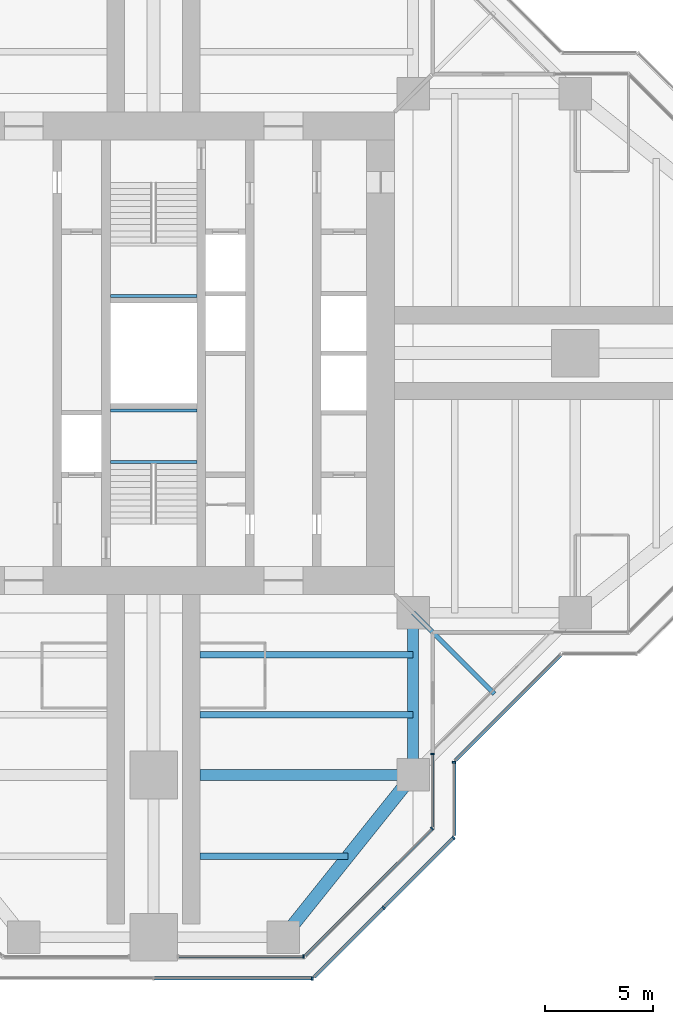
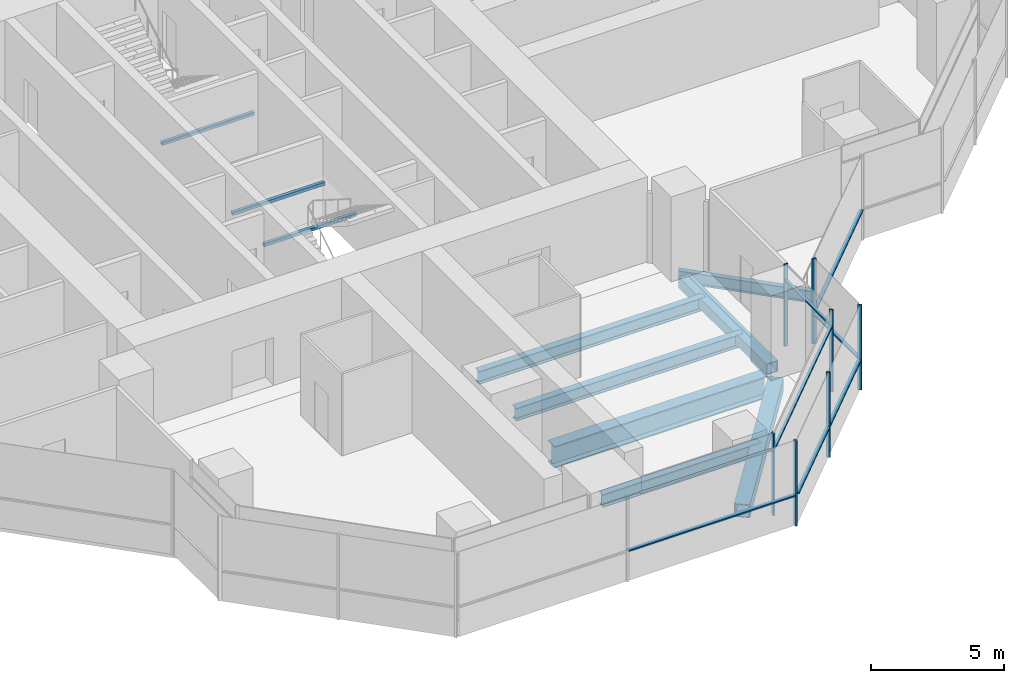
# One storey, part 4 of 17: 15 members, 10 beams, 7 elements without a shape of their own.
"""IFC4 building model written with IfcOpenShell, lengths in metres."""

from ifc_helpers import new_model, si_unit, direction, frame, origin, origin_2d, place, context, subcontext, project, spatial, rectangle, hollow_rectangle, i_section, extrude, material, material_profile, profile_set, type_object, element, aggregate, save


model = new_model("IFC4")

# Units and contexts
model_context = context("Model", 3, precision=1e-05, world=origin(), true_north=direction((0.0, 1.0)))
body_context = subcontext(model_context, "Body", "Model", "MODEL_VIEW")
ifc_project = project(units=[si_unit("LENGTHUNIT", "METRE"), si_unit("AREAUNIT", "SQUARE_METRE"), si_unit("VOLUMEUNIT", "CUBIC_METRE"), si_unit("PLANEANGLEUNIT", "RADIAN"), si_unit("MASSUNIT", "GRAM", prefix="KILO")], contexts=[model_context])

# Site, building, storey
site_placement = place(None, origin())
site = spatial("IfcSite", under=ifc_project, at=site_placement, CompositionType="ELEMENT")
building_placement = place(site_placement, origin())
building = spatial("IfcBuilding", under=site, at=building_placement, Name="Mizan Broadcast Tower", CompositionType="ELEMENT")
storey_placement = place(building_placement, frame((0.0, 0.0, 255.60009765625)))
storey = spatial("IfcBuildingStorey", under=building, at=storey_placement, Name="L60", CompositionType="ELEMENT", Elevation=255.60009765625)

# Beams
ifc_material_1 = material(Name="Steel S355", Category="steel")
ifc_material_profile_1 = material_profile(ifc_material_1, hollow_rectangle(XDim=0.5, YDim=0.5, WallThickness=0.030029296875, at=origin_2d()), Name="BOX 500x500x30")
ifc_profile_set_1 = profile_set([ifc_material_profile_1], Name="Steel S355")
beam_type_1 = type_object("IfcBeamType", Name="EDGE BEAM BOX 500x500x30", PredefinedType="SPANDREL", material=ifc_profile_set_1)
beam_1_placement = place(storey_placement, frame((12.0, -12.449951171875, -0.380126953125), z_axis=(0.0, -1.0, 0.0), x_axis=(1.0, 0.0, 0.0)))
element("IfcBeam", 1, at=beam_1_placement, inside=storey, type_object=beam_type_1, Name="Edge beam BOX 500x500x30 L60 south arm", PredefinedType="SPANDREL", context=body_context, shape_type="SweptSolid", body=[
    extrude(hollow_rectangle(XDim=0.5, YDim=0.5, WallThickness=0.030029296875, at=origin_2d()), origin(), (0.0, 0.0, 1.0), 6.60009765625),
])
ifc_material_2 = material(Name="Steel S355", Category="steel")
ifc_material_profile_2 = material_profile(ifc_material_2, hollow_rectangle(XDim=0.60009765625, YDim=0.60009765625, WallThickness=0.030029296875, at=origin_2d()), Name="BOX 600x600x30")
ifc_profile_set_2 = profile_set([ifc_material_profile_2], Name="Steel S355")
beam_type_2 = type_object("IfcBeamType", Name="EDGE BEAM BOX 600x600x30", PredefinedType="SPANDREL", material=ifc_profile_set_2)
beam_2_placement = place(storey_placement, frame((11.639892578125, -19.949951171875, -0.43017578125), z_axis=(-0.624673911726, -0.780885717636, 0.0), x_axis=(0.780885717636, -0.624673911726, 0.0)))
element("IfcBeam", 2, at=beam_2_placement, inside=storey, type_object=beam_type_2, Name="Edge beam BOX 600x600x30 L60 south arm", PredefinedType="SPANDREL", context=body_context, shape_type="SweptSolid", body=[
    extrude(hollow_rectangle(XDim=0.60009765625, YDim=0.60009765625, WallThickness=0.030029296875, at=origin_2d()), origin(), (0.0, 0.0, 1.0), 8.4521484375),
])
ifc_material_3 = material(Name="Steel S460", Category="steel")
ifc_material_profile_3 = material_profile(ifc_material_3, i_section(OverallWidth=0.5, OverallDepth=1.0, WebThickness=0.02490234375, FlangeThickness=0.050048828125, at=origin_2d()), Name="WPG 1000x500")
ifc_profile_set_3 = profile_set([ifc_material_profile_3], Name="Steel S460")
beam_type_3 = type_object("IfcBeamType", Name="GIRDER WPG 1000x500", PredefinedType="BEAM", material=ifc_profile_set_3)
beam_3_placement = place(storey_placement, frame((11.408935546875, -19.5, -0.630126953125), z_axis=(-1.0, 0.0, 0.0), x_axis=(0.0, -1.0, 0.0)))
element("IfcBeam", 3, at=beam_3_placement, inside=storey, type_object=beam_type_3, Name="Girder WPG 1000x500 L60 south arm", PredefinedType="BEAM", context=body_context, shape_type="SweptSolid", body=[
    extrude(i_section(OverallWidth=0.5, OverallDepth=1.0, WebThickness=0.02490234375, FlangeThickness=0.050048828125, at=origin_2d()), origin(), (0.0, 0.0, 1.0), 9.259033203125),
])

# Curtain wall, member
ifc_material_4 = material(Name="Aluminium framed glazing", Category="aluminium")
curtain_wall_type_1 = type_object("IfcCurtainWallType", Name="INNER SKIN HIGH ZONE", PredefinedType="USERDEFINED", material=ifc_material_4)
curtain_wall_1_placement = place(storey_placement, origin())
curtain_wall_1 = element("IfcCurtainWall", 4, at=curtain_wall_1_placement, inside=storey, type_object=curtain_wall_type_1, Name="Inner skin high zone L60 S end", ObjectType="INNER SKIN HIGH ZONE", PredefinedType="USERDEFINED")
ifc_material_5 = material(Name="Aluminium, pale anodised", Category="aluminium")
ifc_material_profile_4 = material_profile(ifc_material_5, rectangle(XDim=0.159912109375, YDim=0.06005859375, at=origin_2d()), Name="MULLION 160x60")
ifc_profile_set_4 = profile_set([ifc_material_profile_4], Name="Aluminium, pale anodised")
member_type_1 = type_object("IfcMemberType", Name="INNER SKIN MULLION 60x160", PredefinedType="MULLION", material=ifc_profile_set_4)
member_1_placement = place(storey_placement, frame((6.928466796875, -27.89990234375, 0.0), z_axis=(0.0, 0.0, 1.0), x_axis=(0.0, 1.0, 0.0)))
member_1 = element("IfcMember", 5, at=member_1_placement, type_object=member_type_1, Name="Inner skin high zone L60 S end mullion 2", PredefinedType="MULLION", context=body_context, shape_type="SweptSolid", body=[
    extrude(rectangle(XDim=0.159912109375, YDim=0.06005859375, at=origin_2d()), origin(), (0.0, 0.0, 1.0), 3.77001953125),
])

curtain_wall_2_placement = place(storey_placement, origin())
curtain_wall_2 = element("IfcCurtainWall", 6, at=curtain_wall_2_placement, inside=storey, type_object=curtain_wall_type_1, Name="Inner skin high zone L60 S chamfer", ObjectType="INNER SKIN HIGH ZONE", PredefinedType="USERDEFINED")
member_2_placement = place(storey_placement, frame((12.87890625, -21.979736328125, 0.0), z_axis=(0.0, 0.0, 1.0), x_axis=(-0.707106781187, 0.707106781187, 0.0)))
member_2 = element("IfcMember", 7, at=member_2_placement, type_object=member_type_1, Name="Inner skin high zone L60 S chamfer mullion 2", PredefinedType="MULLION", context=body_context, shape_type="SweptSolid", body=[
    extrude(rectangle(XDim=0.159912109375, YDim=0.06005859375, at=origin_2d()), origin(), (0.0, 0.0, 1.0), 3.77001953125),
])

curtain_wall_3_placement = place(storey_placement, origin())
curtain_wall_3 = element("IfcCurtainWall", 8, at=curtain_wall_3_placement, inside=storey, type_object=curtain_wall_type_1, Name="Inner skin high zone L60 S side", ObjectType="INNER SKIN HIGH ZONE", PredefinedType="USERDEFINED")
member_3_placement = place(storey_placement, frame((12.89990234375, -18.530029296875, 0.0), z_axis=(0.0, 0.0, 1.0), x_axis=(-1.0, 0.0, 0.0)))
member_3 = element("IfcMember", 9, at=member_3_placement, type_object=member_type_1, Name="Inner skin high zone L60 S side mullion 2", PredefinedType="MULLION", context=body_context, shape_type="SweptSolid", body=[
    extrude(rectangle(XDim=0.159912109375, YDim=0.06005859375, at=origin_2d()), origin(), (0.0, 0.0, 1.0), 3.77001953125),
])

# Member
ifc_material_6 = material(Name="Aluminium, pale anodised", Category="aluminium")
ifc_material_profile_5 = material_profile(ifc_material_6, rectangle(XDim=0.1201171875, YDim=0.06005859375, at=origin_2d()), Name="TRANSOM 120x60")
ifc_profile_set_5 = profile_set([ifc_material_profile_5], Name="Aluminium, pale anodised")
member_type_2 = type_object("IfcMemberType", Name="INNER SKIN TRANSOM 60x120", PredefinedType="USERDEFINED", material=ifc_profile_set_5)
member_4_placement = place(storey_placement, frame((1.159912109375, -27.89990234375, 3.02978515625), z_axis=(1.0, 0.0, 0.0), x_axis=(0.0, 1.0, 0.0)))
member_4 = element("IfcMember", 10, at=member_4_placement, type_object=member_type_2, Name="Inner skin high zone L60 S end transom 1.1", ObjectType="TRANSOM", PredefinedType="USERDEFINED", context=body_context, shape_type="SweptSolid", body=[
    extrude(rectangle(XDim=0.1201171875, YDim=0.06005859375, at=origin_2d()), origin(), (0.0, 0.0, 1.0), 5.73876953125),
])

aggregate(curtain_wall_1, [member_1, member_4])

member_5_placement = place(storey_placement, frame((7.0009765625, -27.857666015625, 3.02978515625), z_axis=(0.707106781187, 0.707106781187, 0.0), x_axis=(-0.707106781187, 0.707106781187, 0.0)))
member_5 = element("IfcMember", 11, at=member_5_placement, type_object=member_type_2, Name="Inner skin high zone L60 S chamfer transom 1.1", ObjectType="TRANSOM", PredefinedType="USERDEFINED", context=body_context, shape_type="SweptSolid", body=[
    extrude(rectangle(XDim=0.1201171875, YDim=0.06005859375, at=origin_2d()), origin(), (0.0, 0.0, 1.0), 8.28271484375),
])

aggregate(curtain_wall_2, [member_2, member_5])

member_6_placement = place(storey_placement, frame((12.89990234375, -21.898681640625, 3.02978515625), z_axis=(0.0, 1.0, 0.0), x_axis=(-1.0, 0.0, 0.0)))
member_6 = element("IfcMember", 12, at=member_6_placement, type_object=member_type_2, Name="Inner skin high zone L60 S side transom 1.1", ObjectType="TRANSOM", PredefinedType="USERDEFINED", context=body_context, shape_type="SweptSolid", body=[
    extrude(rectangle(XDim=0.1201171875, YDim=0.06005859375, at=origin_2d()), origin(), (0.0, 0.0, 1.0), 3.338623046875),
])

aggregate(curtain_wall_3, [member_3, member_6])

# Beams
ifc_material_7 = material(Name="Steel S355", Category="steel")
ifc_material_profile_6 = material_profile(ifc_material_7, hollow_rectangle(XDim=0.14990234375, YDim=0.14990234375, WallThickness=0.008056640625, InnerFilletRadius=0.008056640625, OuterFilletRadius=0.011962890625, at=origin_2d()), Name="SHS 150x150x8")
ifc_profile_set_6 = profile_set([ifc_material_profile_6], Name="Steel S355")
beam_type_4 = type_object("IfcBeamType", Name="LANDING TRIMMER SHS 150x150x8", PredefinedType="BEAM", material=ifc_profile_set_6)
for number, where, z_axis, x_axis, name in (
    (13, (-2.0, -5.02490234375, 1.6748046875), (1.0, 0.0, 0.0), (0.0, 1.0, 0.0), "Stair A landing trimmer L60"),
    (14, (-2.0, -2.64990234375, 1.6748046875), (1.0, 0.0, 0.0), (0.0, 1.0, 0.0), "Stair A landing trimmer L60"),
    (15, (2.0, 2.64990234375, 1.6748046875), (-1.0, 0.0, 0.0), (0.0, -1.0, 0.0), "Stair B landing trimmer L60"),
):
    element("IfcBeam", number, at=place(storey_placement, frame(where, z_axis=z_axis, x_axis=x_axis)), inside=storey, type_object=beam_type_4, Name=name, PredefinedType="BEAM", context=body_context, shape_type="SweptSolid", body=[
        extrude(hollow_rectangle(XDim=0.14990234375, YDim=0.14990234375, WallThickness=0.008056640625, InnerFilletRadius=0.008056640625, OuterFilletRadius=0.011962890625, at=origin_2d()), origin(), (0.0, 0.0, 1.0), 4.0),
    ])

# Curtain wall, member
ifc_material_8 = material(Name="Aluminium framed glazing", Category="aluminium")
curtain_wall_type_2 = type_object("IfcCurtainWallType", Name="OUTER SKIN", PredefinedType="USERDEFINED", material=ifc_material_8)
curtain_wall_4_placement = place(storey_placement, origin())
curtain_wall_4 = element("IfcCurtainWall", 16, at=curtain_wall_4_placement, inside=storey, type_object=curtain_wall_type_2, Name="Outer skin L60 S end", ObjectType="OUTER SKIN", PredefinedType="USERDEFINED")
ifc_material_9 = material(Name="Aluminium, pale anodised", Category="aluminium")
ifc_material_profile_7 = material_profile(ifc_material_9, rectangle(XDim=0.159912109375, YDim=0.080078125, at=origin_2d()), Name="MULLION 160x80")
ifc_profile_set_7 = profile_set([ifc_material_profile_7], Name="Aluminium, pale anodised")
member_type_3 = type_object("IfcMemberType", Name="OUTER SKIN MULLION 80x160", PredefinedType="MULLION", material=ifc_profile_set_7)
member_7_placement = place(storey_placement, frame((7.332763671875, -28.89990234375, 0.0), z_axis=(0.0, 0.0, 1.0), x_axis=(0.0, 1.0, 0.0)))
member_7 = element("IfcMember", 17, at=member_7_placement, type_object=member_type_3, Name="Outer skin L60 S end mullion 3", PredefinedType="MULLION", context=body_context, shape_type="SweptSolid", body=[
    extrude(rectangle(XDim=0.159912109375, YDim=0.080078125, at=origin_2d()), origin(), (0.0, 0.0, 1.0), 3.89990234375),
])

# Curtain wall, members
curtain_wall_5_placement = place(storey_placement, origin())
curtain_wall_5 = element("IfcCurtainWall", 18, at=curtain_wall_5_placement, inside=storey, type_object=curtain_wall_type_2, Name="Outer skin L60 S chamfer", ObjectType="OUTER SKIN", PredefinedType="USERDEFINED")
member_8_placement = place(storey_placement, frame((10.636474609375, -25.636474609375, 0.0), z_axis=(0.0, 0.0, 1.0), x_axis=(-0.707106781187, 0.707106781187, 0.0)))
member_8 = element("IfcMember", 19, at=member_8_placement, type_object=member_type_3, Name="Outer skin L60 S chamfer mullion 2", PredefinedType="MULLION", context=body_context, shape_type="SweptSolid", body=[
    extrude(rectangle(XDim=0.159912109375, YDim=0.080078125, at=origin_2d()), origin(), (0.0, 0.0, 1.0), 3.89990234375),
])
member_9_placement = place(storey_placement, frame((13.871826171875, -22.401123046875, 0.0), z_axis=(0.0, 0.0, 1.0), x_axis=(-0.707106781187, 0.707106781187, 0.0)))
member_9 = element("IfcMember", 20, at=member_9_placement, type_object=member_type_3, Name="Outer skin L60 S chamfer mullion 3", PredefinedType="MULLION", context=body_context, shape_type="SweptSolid", body=[
    extrude(rectangle(XDim=0.159912109375, YDim=0.080078125, at=origin_2d()), origin(), (0.0, 0.0, 1.0), 3.89990234375),
])

# Curtain wall, member
curtain_wall_6_placement = place(storey_placement, origin())
curtain_wall_6 = element("IfcCurtainWall", 21, at=curtain_wall_6_placement, inside=storey, type_object=curtain_wall_type_2, Name="Outer skin L60 S side", ObjectType="OUTER SKIN", PredefinedType="USERDEFINED")
member_10_placement = place(storey_placement, frame((13.89990234375, -18.912841796875, 0.0), z_axis=(0.0, 0.0, 1.0), x_axis=(-1.0, 0.0, 0.0)))
member_10 = element("IfcMember", 22, at=member_10_placement, type_object=member_type_3, Name="Outer skin L60 S side mullion 2", PredefinedType="MULLION", context=body_context, shape_type="SweptSolid", body=[
    extrude(rectangle(XDim=0.159912109375, YDim=0.080078125, at=origin_2d()), origin(), (0.0, 0.0, 1.0), 3.89990234375),
])

# Member
ifc_material_10 = material(Name="Aluminium, pale anodised", Category="aluminium")
ifc_material_profile_8 = material_profile(ifc_material_10, rectangle(XDim=0.159912109375, YDim=0.06005859375, at=origin_2d()), Name="TRANSOM 160x60")
ifc_profile_set_8 = profile_set([ifc_material_profile_8], Name="Aluminium, pale anodised")
member_type_4 = type_object("IfcMemberType", Name="OUTER SKIN TRANSOM 60x160", PredefinedType="USERDEFINED", material=ifc_profile_set_8)
member_11_placement = place(storey_placement, frame((0.0400390625, -28.89990234375, 1.39990234375), z_axis=(1.0, 0.0, 0.0), x_axis=(0.0, 1.0, 0.0)))
member_11 = element("IfcMember", 23, at=member_11_placement, type_object=member_type_4, Name="Outer skin L60 S end transom 2.1", ObjectType="TRANSOM", PredefinedType="USERDEFINED", context=body_context, shape_type="SweptSolid", body=[
    extrude(rectangle(XDim=0.159912109375, YDim=0.06005859375, at=origin_2d()), origin(), (0.0, 0.0, 1.0), 7.252685546875),
])

aggregate(curtain_wall_4, [member_7, member_11])

member_12_placement = place(storey_placement, frame((7.429443359375, -28.843505859375, 1.39990234375), z_axis=(0.707106781187, 0.707106781187, 0.0), x_axis=(-0.707106781187, 0.707106781187, 0.0)))
member_12 = element("IfcMember", 24, at=member_12_placement, type_object=member_type_4, Name="Outer skin L60 S chamfer transom 1.1", ObjectType="TRANSOM", PredefinedType="USERDEFINED", context=body_context, shape_type="SweptSolid", body=[
    extrude(rectangle(XDim=0.159912109375, YDim=0.06005859375, at=origin_2d()), origin(), (0.0, 0.0, 1.0), 4.495361328125),
])

member_13_placement = place(storey_placement, frame((10.664794921875, -25.608154296875, 1.39990234375), z_axis=(0.707106781187, 0.707106781187, 0.0), x_axis=(-0.707106781187, 0.707106781187, 0.0)))
member_13 = element("IfcMember", 25, at=member_13_placement, type_object=member_type_4, Name="Outer skin L60 S chamfer transom 2.1", ObjectType="TRANSOM", PredefinedType="USERDEFINED", context=body_context, shape_type="SweptSolid", body=[
    extrude(rectangle(XDim=0.159912109375, YDim=0.06005859375, at=origin_2d()), origin(), (0.0, 0.0, 1.0), 4.495361328125),
])

aggregate(curtain_wall_5, [member_8, member_9, member_12, member_13])

member_14_placement = place(storey_placement, frame((13.89990234375, -22.292724609375, 1.39990234375), z_axis=(0.0, 1.0, 0.0), x_axis=(-1.0, 0.0, 0.0)))
member_14 = element("IfcMember", 26, at=member_14_placement, type_object=member_type_4, Name="Outer skin L60 S side transom 1.1", ObjectType="TRANSOM", PredefinedType="USERDEFINED", context=body_context, shape_type="SweptSolid", body=[
    extrude(rectangle(XDim=0.159912109375, YDim=0.06005859375, at=origin_2d()), origin(), (0.0, 0.0, 1.0), 3.33984375),
])

aggregate(curtain_wall_6, [member_10, member_14])

# Curtain wall, member
curtain_wall_7_placement = place(storey_placement, origin())
curtain_wall_7 = element("IfcCurtainWall", 27, at=curtain_wall_7_placement, inside=storey, type_object=curtain_wall_type_2, Name="Outer skin L60 E chamfer", ObjectType="OUTER SKIN", PredefinedType="USERDEFINED")
member_15_placement = place(storey_placement, frame((13.95654296875, -18.816162109375, 1.39990234375), z_axis=(0.707106781187, 0.707106781187, 0.0), x_axis=(-0.707106781187, 0.707106781187, 0.0)))
member_15 = element("IfcMember", 28, at=member_15_placement, type_object=member_type_4, Name="Outer skin L60 E chamfer transom 1.1", ObjectType="TRANSOM", PredefinedType="USERDEFINED", context=body_context, shape_type="SweptSolid", body=[
    extrude(rectangle(XDim=0.159912109375, YDim=0.06005859375, at=origin_2d()), origin(), (0.0, 0.0, 1.0), 6.87255859375),
])
aggregate(curtain_wall_7, [member_15])

# Beams
ifc_material_11 = material(Name="Steel S355", Category="steel")
ifc_material_profile_9 = material_profile(ifc_material_11, i_section(OverallWidth=0.300048828125, OverallDepth=0.590087890625, WebThickness=0.012939453125, FlangeThickness=0.02490234375, FilletRadius=0.027099609375, at=origin_2d()), Name="HEA 600")
ifc_profile_set_9 = profile_set([ifc_material_profile_9], Name="Steel S355")
beam_type_5 = type_object("IfcBeamType", Name="SECONDARY BEAM HEA 600", PredefinedType="JOIST", material=ifc_profile_set_9)
for number, where, z_axis, x_axis, name in (
    (29, (12.0, -13.933349609375, -0.425048828125), (-1.0, 0.0, 0.0), (0.0, -1.0, 0.0), "Secondary beam HEA 600 L60 south arm"),
    (30, (12.0, -16.716552734375, -0.425048828125), (-1.0, 0.0, 0.0), (0.0, -1.0, 0.0), "Secondary beam HEA 600 L60 south arm"),
):
    element("IfcBeam", number, at=place(storey_placement, frame(where, z_axis=z_axis, x_axis=x_axis)), inside=storey, type_object=beam_type_5, Name=name, PredefinedType="JOIST", context=body_context, shape_type="SweptSolid", body=[
        extrude(i_section(OverallWidth=0.300048828125, OverallDepth=0.590087890625, WebThickness=0.012939453125, FlangeThickness=0.02490234375, FilletRadius=0.027099609375, at=origin_2d()), origin(), (0.0, 0.0, 1.0), 9.85009765625),
    ])
beam_4_placement = place(storey_placement, frame((9.0, -23.25, -0.425048828125), z_axis=(-1.0, 0.0, 0.0), x_axis=(0.0, -1.0, 0.0)))
element("IfcBeam", 31, at=beam_4_placement, inside=storey, type_object=beam_type_5, Name="Secondary beam HEA 600 L60 south arm", PredefinedType="JOIST", context=body_context, shape_type="SweptSolid", body=[
    extrude(i_section(OverallWidth=0.300048828125, OverallDepth=0.590087890625, WebThickness=0.012939453125, FlangeThickness=0.02490234375, FilletRadius=0.027099609375, at=origin_2d()), origin(), (0.0, 0.0, 1.0), 6.85009765625),
])
ifc_material_12 = material(Name="Steel S355", Category="steel")
ifc_material_profile_10 = material_profile(ifc_material_12, i_section(OverallWidth=0.2099609375, OverallDepth=0.550048828125, WebThickness=0.010986328125, FlangeThickness=0.01708984375, FilletRadius=0.02392578125, at=origin_2d()), Name="IPE 550")
ifc_profile_set_10 = profile_set([ifc_material_profile_10], Name="Steel S355")
beam_type_6 = type_object("IfcBeamType", Name="SECONDARY BEAM IPE 550", PredefinedType="JOIST", material=ifc_profile_set_10)
beam_5_placement = place(storey_placement, frame((12.0, -12.0, -0.405029296875), z_axis=(0.707106781187, -0.707106781187, 0.0), x_axis=(0.707106781187, 0.707106781187, 0.0)))
element("IfcBeam", 32, at=beam_5_placement, inside=storey, type_object=beam_type_6, Name="Winter garden beam L60 S", PredefinedType="JOIST", context=body_context, shape_type="SweptSolid", body=[
    extrude(i_section(OverallWidth=0.2099609375, OverallDepth=0.550048828125, WebThickness=0.010986328125, FlangeThickness=0.01708984375, FilletRadius=0.02392578125, at=origin_2d()), origin(), (0.0, 0.0, 1.0), 5.30322265625),
])

save(model, "model.ifc")
